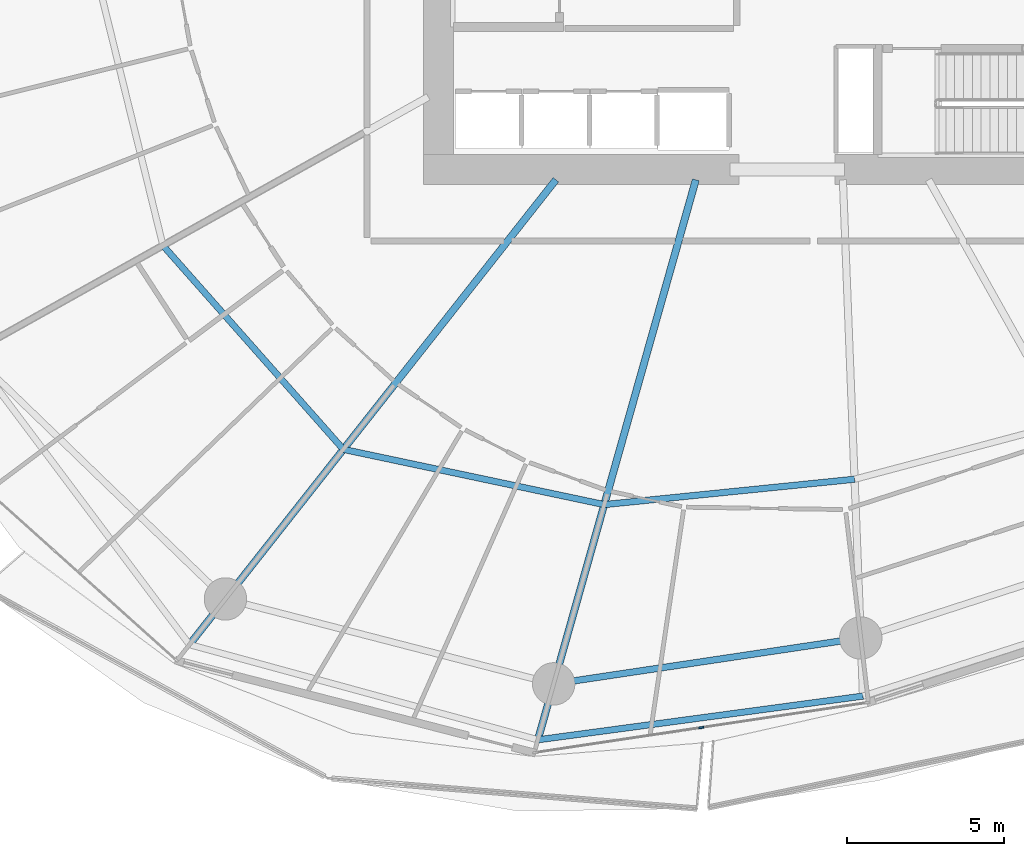
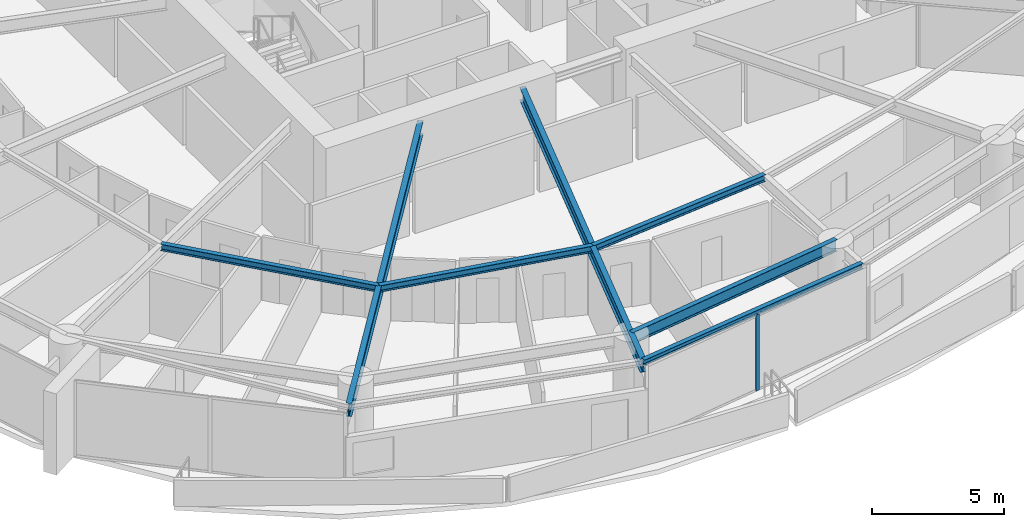
# One storey, part 7 of 31: 7 beams, 1 member, 1 element without a shape of its own.
"""IFC4 building model written with IfcOpenShell, lengths in metres."""

from ifc_helpers import new_model, si_unit, direction, frame, origin, origin_2d, place, context, subcontext, project, spatial, rectangle, i_section, extrude, material, layer, layer_set, material_profile, profile_set, type_object, element, aggregate, save


model = new_model("IFC4")

# Units and contexts
model_context = context("Model", 3, precision=1e-05, world=origin(), true_north=direction((0.0, 1.0)))
body_context = subcontext(model_context, "Body", "Model", "MODEL_VIEW")
ifc_project = project(units=[si_unit("LENGTHUNIT", "METRE"), si_unit("AREAUNIT", "SQUARE_METRE"), si_unit("VOLUMEUNIT", "CUBIC_METRE"), si_unit("PLANEANGLEUNIT", "RADIAN"), si_unit("MASSUNIT", "GRAM", prefix="KILO")], contexts=[model_context])

# Site, building, storey
site_placement = place(None, origin())
site = spatial("IfcSite", under=ifc_project, at=site_placement, CompositionType="ELEMENT")
building_placement = place(site_placement, origin())
building = spatial("IfcBuilding", under=site, at=building_placement, Name="Kazma Halo Residences", CompositionType="ELEMENT")
storey_placement = place(building_placement, frame((0.0, 0.0, 41.39990234375)))
storey = spatial("IfcBuildingStorey", under=building, at=storey_placement, Name="L09", CompositionType="ELEMENT", Elevation=41.39990234375)

# Beams
ifc_material_1 = material(Name="Steel S355", Category="steel")
ifc_material_profile_1 = material_profile(ifc_material_1, i_section(OverallWidth=0.201904296875, OverallDepth=0.2470703125, WebThickness=0.00732421875, FlangeThickness=0.010986328125, FilletRadius=0.011962890625, at=origin_2d()), Name="W250x49.1")
ifc_profile_set_1 = profile_set([ifc_material_profile_1], Name="Steel S355")
beam_type_1 = type_object("IfcBeamType", Name="BM-BAL-CANT", PredefinedType="BEAM", material=ifc_profile_set_1)
beam_1_placement = place(storey_placement, frame((40.489501953125, 15.3701171875, 3.376708984375), z_axis=(0.991080087388, 0.133267626912, 0.0), x_axis=(-0.133267626912, 0.991080087388, 0.0)))
element("IfcBeam", 1, at=beam_1_placement, inside=storey, type_object=beam_type_1, Name="L09 wave-balcony tie beam 11", PredefinedType="BEAM", context=body_context, shape_type="SweptSolid", body=[
    extrude(i_section(OverallWidth=0.201904296875, OverallDepth=0.2470703125, WebThickness=0.00732421875, FlangeThickness=0.010986328125, FilletRadius=0.011962890625, at=origin_2d()), origin(), (0.0, 0.0, 1.0), 10.444091796875),
])
ifc_material_profile_2 = material_profile(ifc_material_1, i_section(OverallWidth=0.22802734375, OverallDepth=0.60791015625, WebThickness=0.01123046875, FlangeThickness=0.017333984375, FilletRadius=0.01806640625, at=origin_2d()), Name="W610x113")
ifc_profile_set_2 = profile_set([ifc_material_profile_2], Name="Steel S355")
beam_type_2 = type_object("IfcBeamType", Name="BM-RAD-W610", PredefinedType="BEAM", material=ifc_profile_set_2)
beam_2_placement = place(storey_placement, frame((41.0625, 33.199951171875, 3.196044921875), z_axis=(-0.619092154321, -0.785318345932, 0.0), x_axis=(0.785318345932, -0.619092154321, 0.0)))
element("IfcBeam", 2, at=beam_2_placement, inside=storey, type_object=beam_type_2, Name="L09 radial floor beam 10", PredefinedType="BEAM", context=body_context, shape_type="SweptSolid", body=[
    extrude(i_section(OverallWidth=0.22802734375, OverallDepth=0.60791015625, WebThickness=0.01123046875, FlangeThickness=0.017333984375, FilletRadius=0.01806640625, at=origin_2d()), origin(), (0.0, 0.0, 1.0), 18.84375),
])
beam_3_placement = place(storey_placement, frame((45.51806640625, 33.199951171875, 3.196044921875), z_axis=(-0.271442010129, -0.962454796412, 0.0), x_axis=(0.962454796412, -0.271442010129, 0.0)))
element("IfcBeam", 3, at=beam_3_placement, inside=storey, type_object=beam_type_2, Name="L09 radial floor beam 11", PredefinedType="BEAM", context=body_context, shape_type="SweptSolid", body=[
    extrude(i_section(OverallWidth=0.22802734375, OverallDepth=0.60791015625, WebThickness=0.01123046875, FlangeThickness=0.017333984375, FilletRadius=0.01806640625, at=origin_2d()), origin(), (0.0, 0.0, 1.0), 18.525390625),
])
ifc_material_profile_3 = material_profile(ifc_material_1, i_section(OverallWidth=0.202880859375, OverallDepth=0.302978515625, WebThickness=0.007568359375, FlangeThickness=0.01318359375, FilletRadius=0.013916015625, at=origin_2d()), Name="W310x60")
ifc_profile_set_3 = profile_set([ifc_material_profile_3], Name="Steel S355")
beam_type_3 = type_object("IfcBeamType", Name="BM-SEC-W310A", PredefinedType="JOIST", material=ifc_profile_set_3)
beam_4_placement = place(storey_placement, frame((28.55224609375, 31.10888671875, 3.3486328125), z_axis=(0.662640120169, -0.748937962146, 0.0), x_axis=(0.748937962146, 0.662640120169, 0.0)))
element("IfcBeam", 4, at=beam_4_placement, inside=storey, type_object=beam_type_3, Name="L09 circumferential floor joist 09", PredefinedType="JOIST", context=body_context, shape_type="SweptSolid", body=[
    extrude(i_section(OverallWidth=0.202880859375, OverallDepth=0.302978515625, WebThickness=0.007568359375, FlangeThickness=0.01318359375, FilletRadius=0.013916015625, at=origin_2d()), origin(), (0.0, 0.0, 1.0), 8.668212890625),
])
beam_5_placement = place(storey_placement, frame((34.296142578125, 24.616943359375, 3.3486328125), z_axis=(0.97831665719, -0.207114746615, 0.0), x_axis=(0.207114746615, 0.97831665719, 0.0)))
element("IfcBeam", 5, at=beam_5_placement, inside=storey, type_object=beam_type_3, Name="L09 circumferential floor joist 10", PredefinedType="JOIST", context=body_context, shape_type="SweptSolid", body=[
    extrude(i_section(OverallWidth=0.202880859375, OverallDepth=0.302978515625, WebThickness=0.007568359375, FlangeThickness=0.01318359375, FilletRadius=0.013916015625, at=origin_2d()), origin(), (0.0, 0.0, 1.0), 8.489501953125),
])
beam_6_placement = place(storey_placement, frame((42.6015625, 22.858642578125, 3.3486328125), z_axis=(0.994907811148, 0.100789123008, 0.0), x_axis=(-0.100789123008, 0.994907811148, 0.0)))
element("IfcBeam", 6, at=beam_6_placement, inside=storey, type_object=beam_type_3, Name="L09 circumferential floor joist 11", PredefinedType="JOIST", context=body_context, shape_type="SweptSolid", body=[
    extrude(i_section(OverallWidth=0.202880859375, OverallDepth=0.302978515625, WebThickness=0.007568359375, FlangeThickness=0.01318359375, FilletRadius=0.013916015625, at=origin_2d()), origin(), (0.0, 0.0, 1.0), 8.010498046875),
])
ifc_material_profile_4 = material_profile(ifc_material_1, i_section(OverallWidth=0.208984375, OverallDepth=0.532958984375, WebThickness=0.01025390625, FlangeThickness=0.015625, FilletRadius=0.01611328125, at=origin_2d()), Name="W530x92")
ifc_profile_set_4 = profile_set([ifc_material_profile_4], Name="Steel S355")
beam_type_4 = type_object("IfcBeamType", Name="BM-SPN-W530", PredefinedType="BEAM", material=ifc_profile_set_4)
beam_7_placement = place(storey_placement, frame((40.99169921875, 17.150634765625, 3.233642578125), z_axis=(0.989033061974, 0.147694286693, 0.0), x_axis=(-0.147694286693, 0.989033061974, 0.0)))
element("IfcBeam", 7, at=beam_7_placement, inside=storey, type_object=beam_type_4, Name="L09 perimeter ring beam 11", PredefinedType="BEAM", context=body_context, shape_type="SweptSolid", body=[
    extrude(i_section(OverallWidth=0.208984375, OverallDepth=0.532958984375, WebThickness=0.01025390625, FlangeThickness=0.015625, FilletRadius=0.01611328125, at=origin_2d()), origin(), (0.0, 0.0, 1.0), 9.885009765625),
])

# Curtain wall, member
ifc_material_2 = material(Name="Aluminium AW-6063 T6 and Triple-Silver Low-E Glass", Category="aluminium")
ifc_layer = layer(ifc_material_2, 0.159912109375)
ifc_layer_set = layer_set([ifc_layer], Name="Aluminium AW-6063 T6 and Triple-Silver Low-E Glass")
curtain_wall_type = type_object("IfcCurtainWallType", Name="CW-SYS-2", PredefinedType="NOTDEFINED", material=ifc_layer_set)
curtain_wall_placement = place(storey_placement, origin())
curtain_wall = element("IfcCurtainWall", 8, at=curtain_wall_placement, inside=storey, type_object=curtain_wall_type, Name="L09 unitised curtain wall B11", PredefinedType="NOTDEFINED")
ifc_material_3 = material(Name="Aluminium AW-6063 T6", Category="aluminium")
ifc_material_profile_5 = material_profile(ifc_material_3, rectangle(XDim=0.06005859375, YDim=0.159912109375, at=origin_2d()), Name="CWM-60x160")
ifc_profile_set_5 = profile_set([ifc_material_profile_5], Name="Aluminium AW-6063 T6")
member_type = type_object("IfcMemberType", Name="CW-SYS-2-MUL", PredefinedType="MULLION", material=ifc_profile_set_5)
member_placement = place(storey_placement, frame((45.6923828125, 15.75732421875, 0.0), z_axis=(0.0, 0.0, 1.0), x_axis=(-0.148657272805, 0.988888777994, 0.0)))
member = element("IfcMember", 9, at=member_placement, type_object=member_type, Name="CWS-2 mullion 2", PredefinedType="MULLION", context=body_context, shape_type="SweptSolid", body=[
    extrude(rectangle(XDim=0.06005859375, YDim=0.159912109375, at=origin_2d()), origin(), (0.0, 0.0, 1.0), 3.5),
])
aggregate(curtain_wall, [member])

save(model, "model.ifc")
